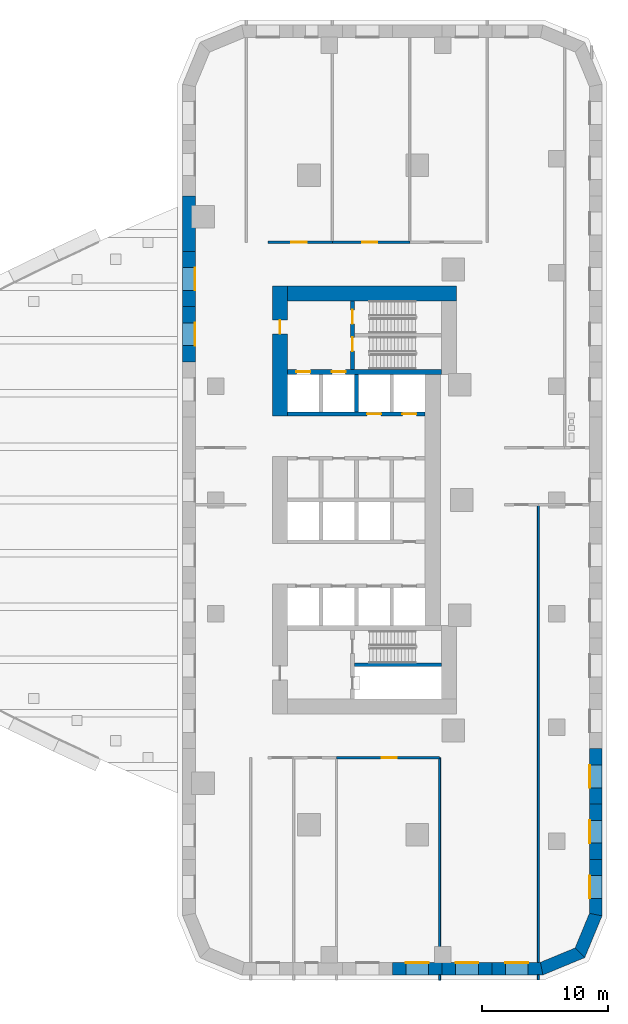
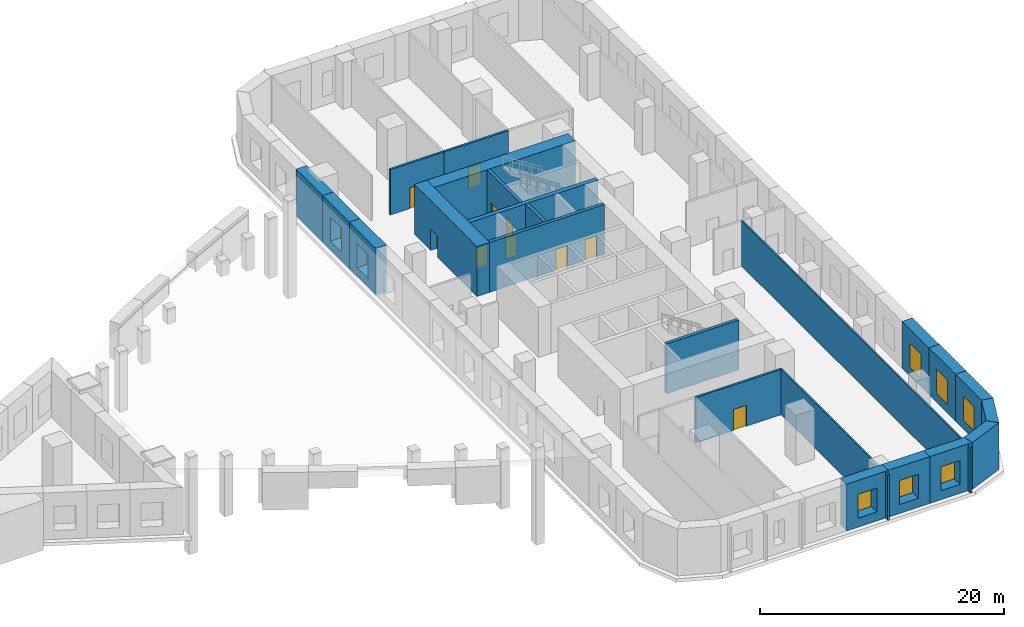
# One storey, part 4 of 11: 25 walls, 10 doors, 8 windows, 18 openings.
"""IFC4 building model written with IfcOpenShell, lengths in metres."""

from ifc_helpers import new_model, si_unit, direction, frame, frame_2d, origin, place, context, subcontext, project, spatial, polyline, rectangle, outline, extrude, material, layer, layer_set, type_object, element, fill, save


model = new_model("IFC4")

# Units and contexts
model_context = context("Model", 3, precision=1e-05, world=origin(), true_north=direction((0.0, 1.0)))
body_context = subcontext(model_context, "Body", "Model", "MODEL_VIEW")
ifc_project = project(units=[si_unit("LENGTHUNIT", "METRE"), si_unit("AREAUNIT", "SQUARE_METRE"), si_unit("VOLUMEUNIT", "CUBIC_METRE"), si_unit("PLANEANGLEUNIT", "RADIAN"), si_unit("MASSUNIT", "GRAM", prefix="KILO")], contexts=[model_context])

# Site, building, storey
site_placement = place(None, origin())
site = spatial("IfcSite", under=ifc_project, at=site_placement, CompositionType="ELEMENT")
building_placement = place(site_placement, origin())
building = spatial("IfcBuilding", under=site, at=building_placement, Name="Ostrand Prow Hotel Tower", CompositionType="ELEMENT")
storey_placement = place(building_placement, frame((0.0, 0.0, 24.0)))
storey = spatial("IfcBuildingStorey", under=building, at=storey_placement, Name="L04", CompositionType="ELEMENT", Elevation=24.0)

# Wall, opening, door
ifc_material_1 = material(Name="Concrete C80/95", Category="concrete")
ifc_layer_1 = layer(ifc_material_1, 1.199951171875)
ifc_layer_set_1 = layer_set([ifc_layer_1], Name="Concrete C80/95")
wall_type_1 = type_object("IfcWallType", Name="Core wall 1200 C80/95", PredefinedType="SHEAR", material=ifc_layer_set_1)
wall_1_placement = place(storey_placement, frame((50.10009765625, 6.64990234375, 0.0), z_axis=(0.0, 0.0, 1.0), x_axis=(0.0, 1.0, 0.0)))
wall_1 = element("IfcWall", 1, at=wall_1_placement, inside=storey, type_object=wall_type_1, Name="Core wall CW-W-N", PredefinedType="SHEAR", context=body_context, shape_type="SweptSolid", body=[
    extrude(rectangle(XDim=10.300048828125, YDim=1.199951171875, at=frame_2d((5.14990234375, 0.0))), origin(), (0.0, 0.0, 1.0), 5.0),
])
opening_1_placement = place(wall_1_placement, frame((6.5, 0.0, 0.0)))
opening_1 = element("IfcOpeningElement", 2, at=opening_1_placement, cuts=wall_1, Name="Opening FD1", PredefinedType="OPENING", context=body_context, shape_type="SweptSolid", body=[
    extrude(rectangle(XDim=1.10009765625, YDim=2.10009765625, at=frame_2d((0.550048828125, 1.050048828125))), frame((0.0, 0.60986328125, 0.0), z_axis=(0.0, -1.0, 0.0), x_axis=(1.0, 0.0, 0.0)), (0.0, 0.0, 1.0), 1.219970703125),
])
ifc_material_2 = material(Name="Steel fire door", Category="steel")
door_type_1 = type_object("IfcDoorType", Name="Fire door 1100 EI120", OperationType="SINGLE_SWING_RIGHT", PredefinedType="DOOR", material=ifc_material_2)
door_1_placement = place(opening_1_placement, origin())
door_1 = element("IfcDoor", 3, at=door_1_placement, inside=storey, type_object=door_type_1, Name="FIRE DOOR", OperationType="SINGLE_SWING_RIGHT", OverallHeight=2.10009765625, OverallWidth=1.10009765625, PredefinedType="DOOR", context=body_context, shape_type="SweptSolid", body=[
    extrude(rectangle(XDim=1.10009765625, YDim=2.10009765625, at=frame_2d((0.550048828125, 1.050048828125))), frame((0.0, 0.02490234375, 0.0), z_axis=(0.0, -1.0, 0.0), x_axis=(1.0, 0.0, 0.0)), (0.0, 0.0, 1.0), 0.050048828125),
])
fill(opening_1, door_1)

# Wall
wall_2_placement = place(storey_placement, frame((50.699951171875, 16.35009765625, 0.0), z_axis=(0.0, 0.0, 1.0), x_axis=(1.0, 0.0, 0.0)))
element("IfcWall", 4, at=wall_2_placement, inside=storey, type_object=wall_type_1, Name="Core wall CW-N", PredefinedType="SHEAR", context=body_context, shape_type="SweptSolid", body=[
    extrude(rectangle(XDim=13.380126953125, YDim=1.199951171875, at=frame_2d((6.68994140625, 0.0))), origin(), (0.0, 0.0, 1.0), 5.0),
])

# Wall, openings, doors
ifc_material_3 = material(Name="Concrete C80/95", Category="concrete")
ifc_layer_2 = layer(ifc_material_3, 0.300048828125)
ifc_layer_set_2 = layer_set([ifc_layer_2], Name="Concrete C80/95")
wall_type_2 = type_object("IfcWallType", Name="Core wall 300 C80/95", PredefinedType="SHEAR", material=ifc_layer_set_2)
wall_3_placement = place(storey_placement, frame((50.699951171875, 6.800048828125, 0.0), z_axis=(0.0, 0.0, 1.0), x_axis=(1.0, 0.0, 0.0)))
wall_3 = element("IfcWall", 5, at=wall_3_placement, inside=storey, type_object=wall_type_2, Name="Core wall PW-L2-N", PredefinedType="SHEAR", context=body_context, shape_type="SweptSolid", body=[
    extrude(rectangle(XDim=10.900146484375, YDim=0.300048828125, at=frame_2d((5.4501953125, 0.0))), origin(), (0.0, 0.0, 1.0), 5.0),
])
opening_2_placement = place(wall_3_placement, frame((6.300048828125, 0.0, 0.0)))
opening_2 = element("IfcOpeningElement", 6, at=opening_2_placement, cuts=wall_3, Name="Opening LD", PredefinedType="OPENING", context=body_context, shape_type="SweptSolid", body=[
    extrude(rectangle(XDim=1.10009765625, YDim=2.10009765625, at=frame_2d((0.550048828125, 1.050048828125))), frame((0.0, 0.159912109375, 0.0), z_axis=(0.0, -1.0, 0.0), x_axis=(1.0, 0.0, 0.0)), (0.0, 0.0, 1.0), 0.320068359375),
])
opening_3_placement = place(wall_3_placement, frame((9.10009765625, 0.0, 0.0)))
opening_3 = element("IfcOpeningElement", 7, at=opening_3_placement, cuts=wall_3, Name="Opening LD", PredefinedType="OPENING", context=body_context, shape_type="SweptSolid", body=[
    extrude(rectangle(XDim=1.10009765625, YDim=2.10009765625, at=frame_2d((0.550048828125, 1.050048828125))), frame((0.0, 0.159912109375, 0.0), z_axis=(0.0, -1.0, 0.0), x_axis=(1.0, 0.0, 0.0)), (0.0, 0.0, 1.0), 0.320068359375),
])
ifc_material_4 = material(Name="Stainless steel door", Category="steel")
door_type_2 = type_object("IfcDoorType", Name="Lift landing door 1100", OperationType="DOUBLE_DOOR_SLIDING", PredefinedType="DOOR", material=ifc_material_4)
door_2_placement = place(opening_2_placement, origin())
door_2 = element("IfcDoor", 8, at=door_2_placement, inside=storey, type_object=door_type_2, Name="LIFT LANDING DOOR", OperationType="DOUBLE_DOOR_SLIDING", OverallHeight=2.10009765625, OverallWidth=1.10009765625, PredefinedType="DOOR", context=body_context, shape_type="SweptSolid", body=[
    extrude(rectangle(XDim=1.10009765625, YDim=2.10009765625, at=frame_2d((0.550048828125, 1.050048828125))), frame((0.0, 0.02490234375, 0.0), z_axis=(0.0, -1.0, 0.0), x_axis=(1.0, 0.0, 0.0)), (0.0, 0.0, 1.0), 0.050048828125),
])
fill(opening_2, door_2)
door_3_placement = place(opening_3_placement, origin())
door_3 = element("IfcDoor", 9, at=door_3_placement, inside=storey, type_object=door_type_2, Name="LIFT LANDING DOOR", OperationType="DOUBLE_DOOR_SLIDING", OverallHeight=2.10009765625, OverallWidth=1.10009765625, PredefinedType="DOOR", context=body_context, shape_type="SweptSolid", body=[
    extrude(rectangle(XDim=1.10009765625, YDim=2.10009765625, at=frame_2d((0.550048828125, 1.050048828125))), frame((0.0, 0.02490234375, 0.0), z_axis=(0.0, -1.0, 0.0), x_axis=(1.0, 0.0, 0.0)), (0.0, 0.0, 1.0), 0.050048828125),
])
fill(opening_3, door_3)

# Wall
wall_4_placement = place(storey_placement, frame((56.14990234375, 6.949951171875, 0.0), z_axis=(0.0, 0.0, 1.0), x_axis=(0.0, 1.0, 0.0)))
element("IfcWall", 10, at=wall_4_placement, inside=storey, type_object=wall_type_2, Name="Core wall PW-R2-NA", PredefinedType="SHEAR", context=body_context, shape_type="SweptSolid", body=[
    extrude(rectangle(XDim=3.0, YDim=0.300048828125, at=frame_2d((1.5, 0.0))), origin(), (0.0, 0.0, 1.0), 5.0),
])

# Wall, openings, doors
wall_5_placement = place(storey_placement, frame((55.85009765625, 10.35009765625, 0.0), z_axis=(0.0, 0.0, 1.0), x_axis=(0.0, 1.0, 0.0)))
wall_5 = element("IfcWall", 11, at=wall_5_placement, inside=storey, type_object=wall_type_2, Name="Core wall PW-VN", PredefinedType="SHEAR", context=body_context, shape_type="SweptSolid", body=[
    extrude(rectangle(XDim=5.39990234375, YDim=0.300048828125, at=frame_2d((2.699951171875, 0.0))), origin(), (0.0, 0.0, 1.0), 5.0),
])
opening_4_placement = place(wall_5_placement, frame((1.429931640625, 0.0, 0.0)))
opening_4 = element("IfcOpeningElement", 12, at=opening_4_placement, cuts=wall_5, Name="Opening FD1", PredefinedType="OPENING", context=body_context, shape_type="SweptSolid", body=[
    extrude(rectangle(XDim=1.10009765625, YDim=2.10009765625, at=frame_2d((0.550048828125, 1.050048828125))), frame((0.0, 0.159912109375, 0.0), z_axis=(0.0, -1.0, 0.0), x_axis=(1.0, 0.0, 0.0)), (0.0, 0.0, 1.0), 0.320068359375),
])
opening_5_placement = place(wall_5_placement, frame((3.60009765625, 0.0, 0.0)))
opening_5 = element("IfcOpeningElement", 13, at=opening_5_placement, cuts=wall_5, Name="Opening FD1", PredefinedType="OPENING", context=body_context, shape_type="SweptSolid", body=[
    extrude(rectangle(XDim=1.10009765625, YDim=2.10009765625, at=frame_2d((0.550048828125, 1.050048828125))), frame((0.0, 0.159912109375, 0.0), z_axis=(0.0, -1.0, 0.0), x_axis=(1.0, 0.0, 0.0)), (0.0, 0.0, 1.0), 0.320068359375),
])
door_4_placement = place(opening_4_placement, origin())
door_4 = element("IfcDoor", 14, at=door_4_placement, inside=storey, type_object=door_type_1, Name="FIRE DOOR", OperationType="SINGLE_SWING_RIGHT", OverallHeight=2.10009765625, OverallWidth=1.10009765625, PredefinedType="DOOR", context=body_context, shape_type="SweptSolid", body=[
    extrude(rectangle(XDim=1.10009765625, YDim=2.10009765625, at=frame_2d((0.550048828125, 1.050048828125))), frame((0.0, 0.02490234375, 0.0), z_axis=(0.0, -1.0, 0.0), x_axis=(1.0, 0.0, 0.0)), (0.0, 0.0, 1.0), 0.050048828125),
])
fill(opening_4, door_4)
door_5_placement = place(opening_5_placement, origin())
door_5 = element("IfcDoor", 15, at=door_5_placement, inside=storey, type_object=door_type_1, Name="FIRE DOOR", OperationType="SINGLE_SWING_RIGHT", OverallHeight=2.10009765625, OverallWidth=1.10009765625, PredefinedType="DOOR", context=body_context, shape_type="SweptSolid", body=[
    extrude(rectangle(XDim=1.10009765625, YDim=2.10009765625, at=frame_2d((0.550048828125, 1.050048828125))), frame((0.0, 0.02490234375, 0.0), z_axis=(0.0, -1.0, 0.0), x_axis=(1.0, 0.0, 0.0)), (0.0, 0.0, 1.0), 0.050048828125),
])
fill(opening_5, door_5)

# Wall
wall_6_placement = place(storey_placement, frame((56.0, -13.050048828125, 0.0), z_axis=(0.0, 0.0, 1.0), x_axis=(1.0, 0.0, 0.0)))
element("IfcWall", 16, at=wall_6_placement, inside=storey, type_object=wall_type_2, Name="Core wall PW-ST2R", PredefinedType="SHEAR", context=body_context, shape_type="SweptSolid", body=[
    extrude(rectangle(XDim=6.8798828125, YDim=0.300048828125, at=frame_2d((3.43994140625, 0.0))), origin(), (0.0, 0.0, 1.0), 5.0),
])

# Wall, openings, doors
ifc_material_5 = material(Name="Concrete C80/95", Category="concrete")
ifc_layer_3 = layer(ifc_material_5, 0.39990234375)
ifc_layer_set_3 = layer_set([ifc_layer_3], Name="Concrete C80/95")
wall_type_3 = type_object("IfcWallType", Name="Core wall 400 C80/95", PredefinedType="SHEAR", material=ifc_layer_set_3)
wall_7_placement = place(storey_placement, frame((50.699951171875, 10.14990234375, 0.0), z_axis=(0.0, 0.0, 1.0), x_axis=(1.0, 0.0, 0.0)))
wall_7 = element("IfcWall", 17, at=wall_7_placement, inside=storey, type_object=wall_type_3, Name="Core wall PW-BN", PredefinedType="SHEAR", context=body_context, shape_type="SweptSolid", body=[
    extrude(rectangle(XDim=12.179931640625, YDim=0.39990234375, at=frame_2d((6.08984375, 0.0))), origin(), (0.0, 0.0, 1.0), 5.0),
])
opening_6_placement = place(wall_7_placement, frame((0.699951171875, 0.0, 0.0)))
opening_6 = element("IfcOpeningElement", 18, at=opening_6_placement, cuts=wall_7, Name="Opening LD", PredefinedType="OPENING", context=body_context, shape_type="SweptSolid", body=[
    extrude(rectangle(XDim=1.10009765625, YDim=2.10009765625, at=frame_2d((0.550048828125, 1.050048828125))), frame((0.0, 0.2099609375, 0.0), z_axis=(0.0, -1.0, 0.0), x_axis=(1.0, 0.0, 0.0)), (0.0, 0.0, 1.0), 0.419921875),
])
opening_7_placement = place(wall_7_placement, frame((3.5, 0.0, 0.0)))
opening_7 = element("IfcOpeningElement", 19, at=opening_7_placement, cuts=wall_7, Name="Opening LD", PredefinedType="OPENING", context=body_context, shape_type="SweptSolid", body=[
    extrude(rectangle(XDim=1.10009765625, YDim=2.10009765625, at=frame_2d((0.550048828125, 1.050048828125))), frame((0.0, 0.2099609375, 0.0), z_axis=(0.0, -1.0, 0.0), x_axis=(1.0, 0.0, 0.0)), (0.0, 0.0, 1.0), 0.419921875),
])
door_6_placement = place(opening_6_placement, origin())
door_6 = element("IfcDoor", 20, at=door_6_placement, inside=storey, type_object=door_type_2, Name="LIFT LANDING DOOR", OperationType="DOUBLE_DOOR_SLIDING", OverallHeight=2.10009765625, OverallWidth=1.10009765625, PredefinedType="DOOR", context=body_context, shape_type="SweptSolid", body=[
    extrude(rectangle(XDim=1.10009765625, YDim=2.10009765625, at=frame_2d((0.550048828125, 1.050048828125))), frame((0.0, 0.02490234375, 0.0), z_axis=(0.0, -1.0, 0.0), x_axis=(1.0, 0.0, 0.0)), (0.0, 0.0, 1.0), 0.050048828125),
])
fill(opening_6, door_6)
door_7_placement = place(opening_7_placement, origin())
door_7 = element("IfcDoor", 21, at=door_7_placement, inside=storey, type_object=door_type_2, Name="LIFT LANDING DOOR", OperationType="DOUBLE_DOOR_SLIDING", OverallHeight=2.10009765625, OverallWidth=1.10009765625, PredefinedType="DOOR", context=body_context, shape_type="SweptSolid", body=[
    extrude(rectangle(XDim=1.10009765625, YDim=2.10009765625, at=frame_2d((0.550048828125, 1.050048828125))), frame((0.0, 0.02490234375, 0.0), z_axis=(0.0, -1.0, 0.0), x_axis=(1.0, 0.0, 0.0)), (0.0, 0.0, 1.0), 0.050048828125),
])
fill(opening_7, door_7)

# Walls
ifc_material_6 = material(Name="Plasterboard partition")
ifc_layer_4 = layer(ifc_material_6, 0.14990234375)
ifc_layer_set_4 = layer_set([ifc_layer_4], Name="Plasterboard partition")
wall_type_4 = type_object("IfcWallType", Name="Partition 150 room partition", PredefinedType="PARTITIONING", material=ifc_layer_set_4)
wall_8_placement = place(storey_placement, frame((62.739990234375, -38.0, 0.0), z_axis=(0.0, 0.0, 1.0), x_axis=(0.0, 1.0, 0.0)))
element("IfcWall", 22, at=wall_8_placement, inside=storey, type_object=wall_type_4, Name="ROOM PARTITION", PredefinedType="PARTITIONING", context=body_context, shape_type="SweptSolid", body=[
    extrude(rectangle(XDim=0.39990234375, YDim=0.14990234375, at=frame_2d((0.199951171875, 0.0))), origin(), (0.0, 0.0, 1.0), 4.550048828125),
])
wall_9_placement = place(storey_placement, frame((62.739990234375, -36.60009765625, 0.0), z_axis=(0.0, 0.0, 1.0), x_axis=(0.0, 1.0, 0.0)))
element("IfcWall", 23, at=wall_9_placement, inside=storey, type_object=wall_type_4, Name="ROOM PARTITION", PredefinedType="PARTITIONING", context=body_context, shape_type="SweptSolid", body=[
    extrude(rectangle(XDim=16.2001953125, YDim=0.14990234375, at=frame_2d((8.10009765625, 0.0))), origin(), (0.0, 0.0, 1.0), 4.550048828125),
])
wall_10_placement = place(storey_placement, frame((70.56005859375, -38.0, 0.0), z_axis=(0.0, 0.0, 1.0), x_axis=(0.0, 1.0, 0.0)))
element("IfcWall", 24, at=wall_10_placement, inside=storey, type_object=wall_type_4, Name="ROOM PARTITION", PredefinedType="PARTITIONING", context=body_context, shape_type="SweptSolid", body=[
    extrude(rectangle(XDim=0.39990234375, YDim=0.14990234375, at=frame_2d((0.199951171875, 0.0))), origin(), (0.0, 0.0, 1.0), 4.550048828125),
])
wall_11_placement = place(storey_placement, frame((70.56005859375, -36.60009765625, 0.0), z_axis=(0.0, 0.0, 1.0), x_axis=(0.0, 1.0, 0.0)))
element("IfcWall", 25, at=wall_11_placement, inside=storey, type_object=wall_type_4, Name="ROOM PARTITION", PredefinedType="PARTITIONING", context=body_context, shape_type="SweptSolid", body=[
    extrude(rectangle(XDim=36.223876953125, YDim=0.14990234375, at=frame_2d((18.11181640625, 0.0))), origin(), (0.0, 0.0, 1.0), 4.550048828125),
])

# Wall, opening, door
ifc_material_7 = material(Name="Plasterboard partition")
ifc_layer_5 = layer(ifc_material_7, 0.199951171875)
ifc_layer_set_5 = layer_set([ifc_layer_5], Name="Plasterboard partition")
wall_type_5 = type_object("IfcWallType", Name="Partition 200 corridor wall", PredefinedType="PARTITIONING", material=ifc_layer_set_5)
wall_12_placement = place(storey_placement, frame((54.580078125, -20.39990234375, 0.0), z_axis=(0.0, 0.0, 1.0), x_axis=(1.0, 0.0, 0.0)))
wall_12 = element("IfcWall", 26, at=wall_12_placement, inside=storey, type_object=wall_type_5, Name="CORRIDOR WALL", PredefinedType="PARTITIONING", context=body_context, shape_type="SweptSolid", body=[
    extrude(rectangle(XDim=8.159912109375, YDim=0.199951171875, at=frame_2d((4.080078125, 0.0))), origin(), (0.0, 0.0, 1.0), 4.550048828125),
])
opening_8_placement = place(wall_12_placement, frame((3.580078125, 0.0, 0.0)))
opening_8 = element("IfcOpeningElement", 27, at=opening_8_placement, cuts=wall_12, Name="Opening D12", PredefinedType="OPENING", context=body_context, shape_type="SweptSolid", body=[
    extrude(rectangle(XDim=1.199951171875, YDim=2.10009765625, at=frame_2d((0.60009765625, 1.050048828125))), frame((0.0, 0.10986328125, 0.0), z_axis=(0.0, -1.0, 0.0), x_axis=(1.0, 0.0, 0.0)), (0.0, 0.0, 1.0), 0.219970703125),
])
ifc_material_8 = material(Name="Steel service door", Category="steel")
door_type_3 = type_object("IfcDoorType", Name="Service door 1200", OperationType="SINGLE_SWING_RIGHT", PredefinedType="DOOR", material=ifc_material_8)
door_8_placement = place(opening_8_placement, origin())
door_8 = element("IfcDoor", 28, at=door_8_placement, inside=storey, type_object=door_type_3, Name="DOOR", OperationType="SINGLE_SWING_RIGHT", OverallHeight=2.10009765625, OverallWidth=1.199951171875, PredefinedType="DOOR", context=body_context, shape_type="SweptSolid", body=[
    extrude(rectangle(XDim=1.199951171875, YDim=2.10009765625, at=frame_2d((0.60009765625, 1.050048828125))), frame((0.0, 0.02490234375, 0.0), z_axis=(0.0, -1.0, 0.0), x_axis=(1.0, 0.0, 0.0)), (0.0, 0.0, 1.0), 0.050048828125),
])
fill(opening_8, door_8)

wall_13_placement = place(storey_placement, frame((54.252197265625, 20.39990234375, 0.0), z_axis=(0.0, 0.0, 1.0), x_axis=(-1.0, 0.0, 0.0)))
wall_13 = element("IfcWall", 29, at=wall_13_placement, inside=storey, type_object=wall_type_5, Name="CORRIDOR WALL", PredefinedType="PARTITIONING", context=body_context, shape_type="SweptSolid", body=[
    extrude(rectangle(XDim=5.082275390625, YDim=0.199951171875, at=frame_2d((2.541015625, 0.0))), origin(), (0.0, 0.0, 1.0), 4.550048828125),
])
opening_9_placement = place(wall_13_placement, frame((2.041015625, 0.0, 0.0)))
opening_9 = element("IfcOpeningElement", 30, at=opening_9_placement, cuts=wall_13, Name="Opening D12", PredefinedType="OPENING", context=body_context, shape_type="SweptSolid", body=[
    extrude(rectangle(XDim=1.199951171875, YDim=2.10009765625, at=frame_2d((0.60009765625, 1.050048828125))), frame((0.0, 0.10986328125, 0.0), z_axis=(0.0, -1.0, 0.0), x_axis=(1.0, 0.0, 0.0)), (0.0, 0.0, 1.0), 0.219970703125),
])
door_9_placement = place(opening_9_placement, origin())
door_9 = element("IfcDoor", 31, at=door_9_placement, inside=storey, type_object=door_type_3, Name="DOOR", OperationType="SINGLE_SWING_RIGHT", OverallHeight=2.10009765625, OverallWidth=1.199951171875, PredefinedType="DOOR", context=body_context, shape_type="SweptSolid", body=[
    extrude(rectangle(XDim=1.199951171875, YDim=2.10009765625, at=frame_2d((0.60009765625, 1.050048828125))), frame((0.0, 0.02490234375, 0.0), z_axis=(0.0, -1.0, 0.0), x_axis=(1.0, 0.0, 0.0)), (0.0, 0.0, 1.0), 0.050048828125),
])
fill(opening_9, door_9)

wall_14_placement = place(storey_placement, frame((60.37841796875, 20.39990234375, 0.0), z_axis=(0.0, 0.0, 1.0), x_axis=(-1.0, 0.0, 0.0)))
wall_14 = element("IfcWall", 32, at=wall_14_placement, inside=storey, type_object=wall_type_5, Name="CORRIDOR WALL", PredefinedType="PARTITIONING", context=body_context, shape_type="SweptSolid", body=[
    extrude(rectangle(XDim=6.126220703125, YDim=0.199951171875, at=frame_2d((3.06298828125, 0.0))), origin(), (0.0, 0.0, 1.0), 4.550048828125),
])
opening_10_placement = place(wall_14_placement, frame((2.56298828125, 0.0, 0.0)))
opening_10 = element("IfcOpeningElement", 33, at=opening_10_placement, cuts=wall_14, Name="Opening D12", PredefinedType="OPENING", context=body_context, shape_type="SweptSolid", body=[
    extrude(rectangle(XDim=1.199951171875, YDim=2.10009765625, at=frame_2d((0.60009765625, 1.050048828125))), frame((0.0, 0.10986328125, 0.0), z_axis=(0.0, -1.0, 0.0), x_axis=(1.0, 0.0, 0.0)), (0.0, 0.0, 1.0), 0.219970703125),
])
door_10_placement = place(opening_10_placement, origin())
door_10 = element("IfcDoor", 34, at=door_10_placement, inside=storey, type_object=door_type_3, Name="DOOR", OperationType="SINGLE_SWING_RIGHT", OverallHeight=2.10009765625, OverallWidth=1.199951171875, PredefinedType="DOOR", context=body_context, shape_type="SweptSolid", body=[
    extrude(rectangle(XDim=1.199951171875, YDim=2.10009765625, at=frame_2d((0.60009765625, 1.050048828125))), frame((0.0, 0.02490234375, 0.0), z_axis=(0.0, -1.0, 0.0), x_axis=(1.0, 0.0, 0.0)), (0.0, 0.0, 1.0), 0.050048828125),
])
fill(opening_10, door_10)

# Wall, opening, window
ifc_material_9 = material(Name="Precast concrete C40/50", Category="concrete")
ifc_layer_6 = layer(ifc_material_9, 1.0)
ifc_layer_set_6 = layer_set([ifc_layer_6], Name="Precast concrete C40/50")
wall_type_6 = type_object("IfcWallType", Name="Portal pier wall 1000 mm", PredefinedType="NOTDEFINED", material=ifc_layer_set_6)
wall_15_placement = place(storey_placement, frame((59.0, -37.10009765625, 0.0), z_axis=(0.0, 0.0, 1.0), x_axis=(1.0, 0.0, 0.0)))
wall_15 = element("IfcWall", 35, at=wall_15_placement, inside=storey, type_object=wall_type_6, Name="Portal pier wall L04-PP103", PredefinedType="NOTDEFINED", context=body_context, shape_type="SweptSolid", body=[
    extrude(outline(polyline([(0.0, -0.5), (3.940185546875, -0.5), (3.940185546875, 0.5), (0.0, 0.5), (0.0, -0.5)])), origin(), (0.0, 0.0, 1.0), 4.699951171875),
])
opening_11_placement = place(wall_15_placement, frame((1.0703125, 0.0, 0.89990234375)))
opening_11 = element("IfcOpeningElement", 36, at=opening_11_placement, cuts=wall_15, Name="Opening WP2", PredefinedType="OPENING", context=body_context, shape_type="SweptSolid", body=[
    extrude(rectangle(XDim=1.800048828125, YDim=2.39990234375, at=frame_2d((0.89990234375, 1.199951171875))), frame((0.0, 0.510009765625, 0.0), z_axis=(0.0, -1.0, 0.0), x_axis=(1.0, 0.0, 0.0)), (0.0, 0.0, 1.0), 1.02001953125),
])
ifc_material_10 = material(Name="Insulated glass in bronze anodised frame", Category="glass")
window_type = type_object("IfcWindowType", Name="Portal window 1800x2400", PartitioningType="SINGLE_PANEL", PredefinedType="WINDOW", material=ifc_material_10)
window_1_placement = place(opening_11_placement, origin())
window_1 = element("IfcWindow", 37, at=window_1_placement, inside=storey, type_object=window_type, Name="Portal window L04-PP103", OverallHeight=2.39990234375, OverallWidth=1.800048828125, PartitioningType="SINGLE_PANEL", PredefinedType="WINDOW", context=body_context, shape_type="SweptSolid", body=[
    extrude(rectangle(XDim=1.800048828125, YDim=2.39990234375, at=frame_2d((0.89990234375, 1.199951171875))), frame((0.0, 0.5, 0.0), z_axis=(0.0, -1.0, 0.0), x_axis=(1.0, 0.0, 0.0)), (0.0, 0.0, 1.0), 0.06005859375),
])
fill(opening_11, window_1)

wall_16_placement = place(storey_placement, frame((62.940185546875, -37.10009765625, 0.0), z_axis=(0.0, 0.0, 1.0), x_axis=(1.0, 0.0, 0.0)))
wall_16 = element("IfcWall", 38, at=wall_16_placement, inside=storey, type_object=wall_type_6, Name="Portal pier wall L04-PP104", PredefinedType="NOTDEFINED", context=body_context, shape_type="SweptSolid", body=[
    extrude(outline(polyline([(0.0, -0.5), (3.9404296875, -0.5), (3.9404296875, 0.5), (0.0, 0.5), (0.0, -0.5)])), origin(), (0.0, 0.0, 1.0), 4.699951171875),
])
opening_12_placement = place(wall_16_placement, frame((1.0703125, 0.0, 0.89990234375)))
opening_12 = element("IfcOpeningElement", 39, at=opening_12_placement, cuts=wall_16, Name="Opening WP2", PredefinedType="OPENING", context=body_context, shape_type="SweptSolid", body=[
    extrude(rectangle(XDim=1.800048828125, YDim=2.39990234375, at=frame_2d((0.89990234375, 1.199951171875))), frame((0.0, 0.510009765625, 0.0), z_axis=(0.0, -1.0, 0.0), x_axis=(1.0, 0.0, 0.0)), (0.0, 0.0, 1.0), 1.02001953125),
])
window_2_placement = place(opening_12_placement, origin())
window_2 = element("IfcWindow", 40, at=window_2_placement, inside=storey, type_object=window_type, Name="Portal window L04-PP104", OverallHeight=2.39990234375, OverallWidth=1.800048828125, PartitioningType="SINGLE_PANEL", PredefinedType="WINDOW", context=body_context, shape_type="SweptSolid", body=[
    extrude(rectangle(XDim=1.800048828125, YDim=2.39990234375, at=frame_2d((0.89990234375, 1.199951171875))), frame((0.0, 0.5, 0.0), z_axis=(0.0, -1.0, 0.0), x_axis=(1.0, 0.0, 0.0)), (0.0, 0.0, 1.0), 0.06005859375),
])
fill(opening_12, window_2)

wall_17_placement = place(storey_placement, frame((66.880615234375, -37.10009765625, 0.0), z_axis=(0.0, 0.0, 1.0), x_axis=(1.0, 0.0, 0.0)))
wall_17 = element("IfcWall", 41, at=wall_17_placement, inside=storey, type_object=wall_type_6, Name="Portal pier wall L04-PP105", PredefinedType="NOTDEFINED", context=body_context, shape_type="SweptSolid", body=[
    extrude(outline(polyline([(0.0, -0.5), (4.0400390625, -0.5), (3.8408203125, 0.5), (0.0, 0.5), (0.0, -0.5)])), origin(), (0.0, 0.0, 1.0), 4.699951171875),
])
opening_13_placement = place(wall_17_placement, frame((1.0703125, 0.0, 0.89990234375)))
opening_13 = element("IfcOpeningElement", 42, at=opening_13_placement, cuts=wall_17, Name="Opening WP2", PredefinedType="OPENING", context=body_context, shape_type="SweptSolid", body=[
    extrude(rectangle(XDim=1.800048828125, YDim=2.39990234375, at=frame_2d((0.89990234375, 1.199951171875))), frame((0.0, 0.510009765625, 0.0), z_axis=(0.0, -1.0, 0.0), x_axis=(1.0, 0.0, 0.0)), (0.0, 0.0, 1.0), 1.02001953125),
])
window_3_placement = place(opening_13_placement, origin())
window_3 = element("IfcWindow", 43, at=window_3_placement, inside=storey, type_object=window_type, Name="Portal window L04-PP105", OverallHeight=2.39990234375, OverallWidth=1.800048828125, PartitioningType="SINGLE_PANEL", PredefinedType="WINDOW", context=body_context, shape_type="SweptSolid", body=[
    extrude(rectangle(XDim=1.800048828125, YDim=2.39990234375, at=frame_2d((0.89990234375, 1.199951171875))), frame((0.0, 0.5, 0.0), z_axis=(0.0, -1.0, 0.0), x_axis=(1.0, 0.0, 0.0)), (0.0, 0.0, 1.0), 0.06005859375),
])
fill(opening_13, window_3)

# Walls
wall_18_placement = place(storey_placement, frame((70.821044921875, -37.10009765625, 0.0), z_axis=(0.0, 0.0, 1.0), x_axis=(0.923862365102, 0.382724875529, 0.0)))
element("IfcWall", 44, at=wall_18_placement, inside=storey, type_object=wall_type_6, Name="Portal pier wall L04-PP106", PredefinedType="NOTDEFINED", context=body_context, shape_type="SweptSolid", body=[
    extrude(outline(polyline([(-0.099609375, -0.5), (3.48193359375, -0.5), (3.06787109375, 0.5), (0.099609375, 0.5), (-0.099609375, -0.5)])), origin(), (0.0, 0.0, 1.0), 4.699951171875),
])
wall_19_placement = place(storey_placement, frame((73.8466796875, -35.8466796875, 0.0), z_axis=(0.0, 0.0, 1.0), x_axis=(0.382724875529, 0.923862365102, 0.0)))
element("IfcWall", 45, at=wall_19_placement, inside=storey, type_object=wall_type_6, Name="Portal pier wall L04-PP107", PredefinedType="NOTDEFINED", context=body_context, shape_type="SweptSolid", body=[
    extrude(outline(polyline([(-0.20703125, -0.5), (3.37451171875, -0.5), (3.17529296875, 0.5), (0.20703125, 0.5), (-0.20703125, -0.5)])), origin(), (0.0, 0.0, 1.0), 4.699951171875),
])

# Wall, opening, window
wall_20_placement = place(storey_placement, frame((75.10009765625, -32.821044921875, 0.0), z_axis=(0.0, 0.0, 1.0), x_axis=(0.0, 1.0, 0.0)))
wall_20 = element("IfcWall", 46, at=wall_20_placement, inside=storey, type_object=wall_type_6, Name="Portal pier wall L04-PP108", PredefinedType="NOTDEFINED", context=body_context, shape_type="SweptSolid", body=[
    extrude(outline(polyline([(-0.099609375, -0.5), (4.376220703125, -0.5), (4.376220703125, 0.5), (0.099609375, 0.5), (-0.099609375, -0.5)])), origin(), (0.0, 0.0, 1.0), 4.699951171875),
])
opening_14_placement = place(wall_20_placement, frame((1.2880859375, 0.0, 0.89990234375)))
opening_14 = element("IfcOpeningElement", 47, at=opening_14_placement, cuts=wall_20, Name="Opening WP2", PredefinedType="OPENING", context=body_context, shape_type="SweptSolid", body=[
    extrude(rectangle(XDim=1.800048828125, YDim=2.39990234375, at=frame_2d((0.89990234375, 1.199951171875))), frame((0.0, 0.510009765625, 0.0), z_axis=(0.0, -1.0, 0.0), x_axis=(1.0, 0.0, 0.0)), (0.0, 0.0, 1.0), 1.02001953125),
])
window_4_placement = place(opening_14_placement, origin())
window_4 = element("IfcWindow", 48, at=window_4_placement, inside=storey, type_object=window_type, Name="Portal window L04-PP108", OverallHeight=2.39990234375, OverallWidth=1.800048828125, PartitioningType="SINGLE_PANEL", PredefinedType="WINDOW", context=body_context, shape_type="SweptSolid", body=[
    extrude(rectangle(XDim=1.800048828125, YDim=2.39990234375, at=frame_2d((0.89990234375, 1.199951171875))), frame((0.0, 0.5, 0.0), z_axis=(0.0, -1.0, 0.0), x_axis=(1.0, 0.0, 0.0)), (0.0, 0.0, 1.0), 0.06005859375),
])
fill(opening_14, window_4)

wall_21_placement = place(storey_placement, frame((75.10009765625, -28.44482421875, 0.0), z_axis=(0.0, 0.0, 1.0), x_axis=(0.0, 1.0, 0.0)))
wall_21 = element("IfcWall", 49, at=wall_21_placement, inside=storey, type_object=wall_type_6, Name="Portal pier wall L04-PP109", PredefinedType="NOTDEFINED", context=body_context, shape_type="SweptSolid", body=[
    extrude(outline(polyline([(0.0, -0.5), (4.376220703125, -0.5), (4.376220703125, 0.5), (0.0, 0.5), (0.0, -0.5)])), origin(), (0.0, 0.0, 1.0), 4.699951171875),
])
opening_15_placement = place(wall_21_placement, frame((1.2880859375, 0.0, 0.89990234375)))
opening_15 = element("IfcOpeningElement", 50, at=opening_15_placement, cuts=wall_21, Name="Opening WP2", PredefinedType="OPENING", context=body_context, shape_type="SweptSolid", body=[
    extrude(rectangle(XDim=1.800048828125, YDim=2.39990234375, at=frame_2d((0.89990234375, 1.199951171875))), frame((0.0, 0.510009765625, 0.0), z_axis=(0.0, -1.0, 0.0), x_axis=(1.0, 0.0, 0.0)), (0.0, 0.0, 1.0), 1.02001953125),
])
window_5_placement = place(opening_15_placement, origin())
window_5 = element("IfcWindow", 51, at=window_5_placement, inside=storey, type_object=window_type, Name="Portal window L04-PP109", OverallHeight=2.39990234375, OverallWidth=1.800048828125, PartitioningType="SINGLE_PANEL", PredefinedType="WINDOW", context=body_context, shape_type="SweptSolid", body=[
    extrude(rectangle(XDim=1.800048828125, YDim=2.39990234375, at=frame_2d((0.89990234375, 1.199951171875))), frame((0.0, 0.5, 0.0), z_axis=(0.0, -1.0, 0.0), x_axis=(1.0, 0.0, 0.0)), (0.0, 0.0, 1.0), 0.06005859375),
])
fill(opening_15, window_5)

wall_22_placement = place(storey_placement, frame((75.10009765625, -24.068603515625, 0.0), z_axis=(0.0, 0.0, 1.0), x_axis=(0.0, 1.0, 0.0)))
wall_22 = element("IfcWall", 52, at=wall_22_placement, inside=storey, type_object=wall_type_6, Name="Portal pier wall L04-PP110", PredefinedType="NOTDEFINED", context=body_context, shape_type="SweptSolid", body=[
    extrude(outline(polyline([(0.0, -0.5), (4.3759765625, -0.5), (4.3759765625, 0.5), (0.0, 0.5), (0.0, -0.5)])), origin(), (0.0, 0.0, 1.0), 4.699951171875),
])
opening_16_placement = place(wall_22_placement, frame((1.2880859375, 0.0, 0.89990234375)))
opening_16 = element("IfcOpeningElement", 53, at=opening_16_placement, cuts=wall_22, Name="Opening WP2", PredefinedType="OPENING", context=body_context, shape_type="SweptSolid", body=[
    extrude(rectangle(XDim=1.800048828125, YDim=2.39990234375, at=frame_2d((0.89990234375, 1.199951171875))), frame((0.0, 0.510009765625, 0.0), z_axis=(0.0, -1.0, 0.0), x_axis=(1.0, 0.0, 0.0)), (0.0, 0.0, 1.0), 1.02001953125),
])
window_6_placement = place(opening_16_placement, origin())
window_6 = element("IfcWindow", 54, at=window_6_placement, inside=storey, type_object=window_type, Name="Portal window L04-PP110", OverallHeight=2.39990234375, OverallWidth=1.800048828125, PartitioningType="SINGLE_PANEL", PredefinedType="WINDOW", context=body_context, shape_type="SweptSolid", body=[
    extrude(rectangle(XDim=1.800048828125, YDim=2.39990234375, at=frame_2d((0.89990234375, 1.199951171875))), frame((0.0, 0.5, 0.0), z_axis=(0.0, -1.0, 0.0), x_axis=(1.0, 0.0, 0.0)), (0.0, 0.0, 1.0), 0.06005859375),
])
fill(opening_16, window_6)

# Wall
wall_23_placement = place(storey_placement, frame((42.89990234375, 24.068603515625, 0.0), z_axis=(0.0, 0.0, 1.0), x_axis=(0.0, -1.0, 0.0)))
element("IfcWall", 55, at=wall_23_placement, inside=storey, type_object=wall_type_6, Name="Portal pier wall L04-PP135", PredefinedType="NOTDEFINED", context=body_context, shape_type="SweptSolid", body=[
    extrude(outline(polyline([(0.0, -0.5), (4.3759765625, -0.5), (4.3759765625, 0.5), (0.0, 0.5), (0.0, -0.5)])), origin(), (0.0, 0.0, 1.0), 4.699951171875),
])

# Wall, opening, window
wall_24_placement = place(storey_placement, frame((42.89990234375, 19.692626953125, 0.0), z_axis=(0.0, 0.0, 1.0), x_axis=(0.0, -1.0, 0.0)))
wall_24 = element("IfcWall", 56, at=wall_24_placement, inside=storey, type_object=wall_type_6, Name="Portal pier wall L04-PP136", PredefinedType="NOTDEFINED", context=body_context, shape_type="SweptSolid", body=[
    extrude(outline(polyline([(0.0, -0.5), (4.376220703125, -0.5), (4.376220703125, 0.5), (0.0, 0.5), (0.0, -0.5)])), origin(), (0.0, 0.0, 1.0), 4.699951171875),
])
opening_17_placement = place(wall_24_placement, frame((1.2880859375, 0.0, 0.89990234375)))
opening_17 = element("IfcOpeningElement", 57, at=opening_17_placement, cuts=wall_24, Name="Opening WP2", PredefinedType="OPENING", context=body_context, shape_type="SweptSolid", body=[
    extrude(rectangle(XDim=1.800048828125, YDim=2.39990234375, at=frame_2d((0.89990234375, 1.199951171875))), frame((0.0, 0.510009765625, 0.0), z_axis=(0.0, -1.0, 0.0), x_axis=(1.0, 0.0, 0.0)), (0.0, 0.0, 1.0), 1.02001953125),
])
window_7_placement = place(opening_17_placement, origin())
window_7 = element("IfcWindow", 58, at=window_7_placement, inside=storey, type_object=window_type, Name="Portal window L04-PP136", OverallHeight=2.39990234375, OverallWidth=1.800048828125, PartitioningType="SINGLE_PANEL", PredefinedType="WINDOW", context=body_context, shape_type="SweptSolid", body=[
    extrude(rectangle(XDim=1.800048828125, YDim=2.39990234375, at=frame_2d((0.89990234375, 1.199951171875))), frame((0.0, 0.5, 0.0), z_axis=(0.0, -1.0, 0.0), x_axis=(1.0, 0.0, 0.0)), (0.0, 0.0, 1.0), 0.06005859375),
])
fill(opening_17, window_7)

wall_25_placement = place(storey_placement, frame((42.89990234375, 15.31640625, 0.0), z_axis=(0.0, 0.0, 1.0), x_axis=(0.0, -1.0, 0.0)))
wall_25 = element("IfcWall", 59, at=wall_25_placement, inside=storey, type_object=wall_type_6, Name="Portal pier wall L04-PP137", PredefinedType="NOTDEFINED", context=body_context, shape_type="SweptSolid", body=[
    extrude(outline(polyline([(0.0, -0.5), (4.376220703125, -0.5), (4.376220703125, 0.5), (0.0, 0.5), (0.0, -0.5)])), origin(), (0.0, 0.0, 1.0), 4.699951171875),
])
opening_18_placement = place(wall_25_placement, frame((1.2880859375, 0.0, 0.89990234375)))
opening_18 = element("IfcOpeningElement", 60, at=opening_18_placement, cuts=wall_25, Name="Opening WP2", PredefinedType="OPENING", context=body_context, shape_type="SweptSolid", body=[
    extrude(rectangle(XDim=1.800048828125, YDim=2.39990234375, at=frame_2d((0.89990234375, 1.199951171875))), frame((0.0, 0.510009765625, 0.0), z_axis=(0.0, -1.0, 0.0), x_axis=(1.0, 0.0, 0.0)), (0.0, 0.0, 1.0), 1.02001953125),
])
window_8_placement = place(opening_18_placement, origin())
window_8 = element("IfcWindow", 61, at=window_8_placement, inside=storey, type_object=window_type, Name="Portal window L04-PP137", OverallHeight=2.39990234375, OverallWidth=1.800048828125, PartitioningType="SINGLE_PANEL", PredefinedType="WINDOW", context=body_context, shape_type="SweptSolid", body=[
    extrude(rectangle(XDim=1.800048828125, YDim=2.39990234375, at=frame_2d((0.89990234375, 1.199951171875))), frame((0.0, 0.5, 0.0), z_axis=(0.0, -1.0, 0.0), x_axis=(1.0, 0.0, 0.0)), (0.0, 0.0, 1.0), 0.06005859375),
])
fill(opening_18, window_8)

save(model, "model.ifc")
